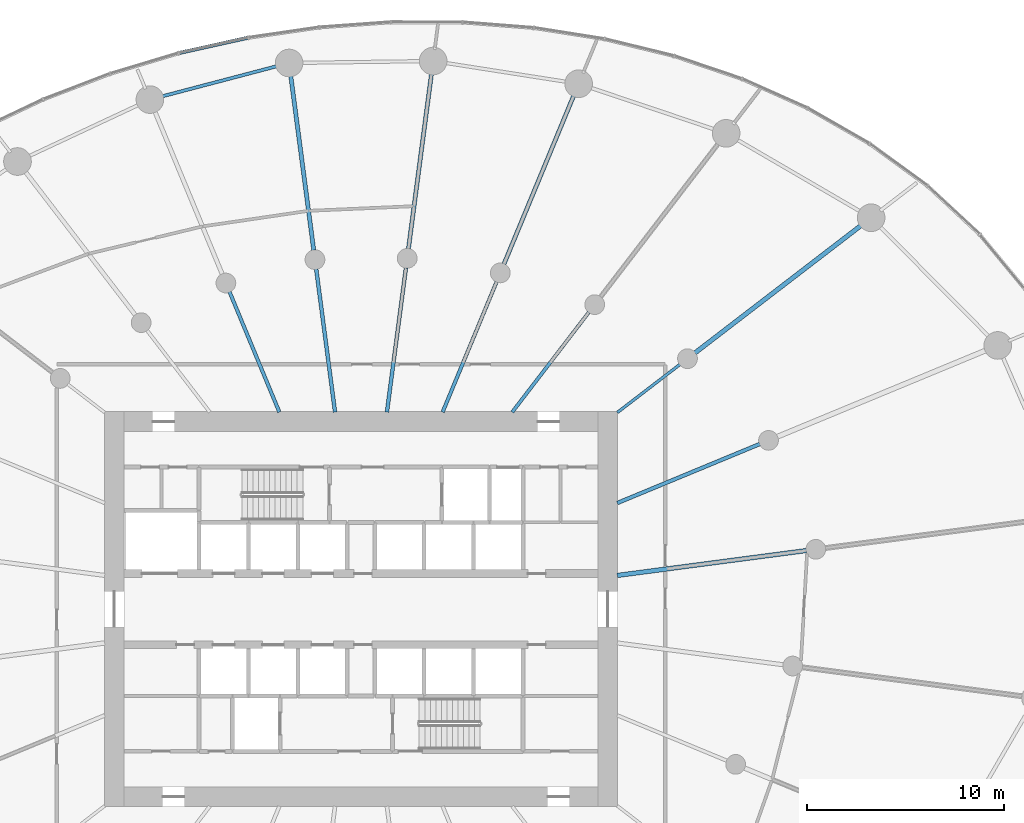
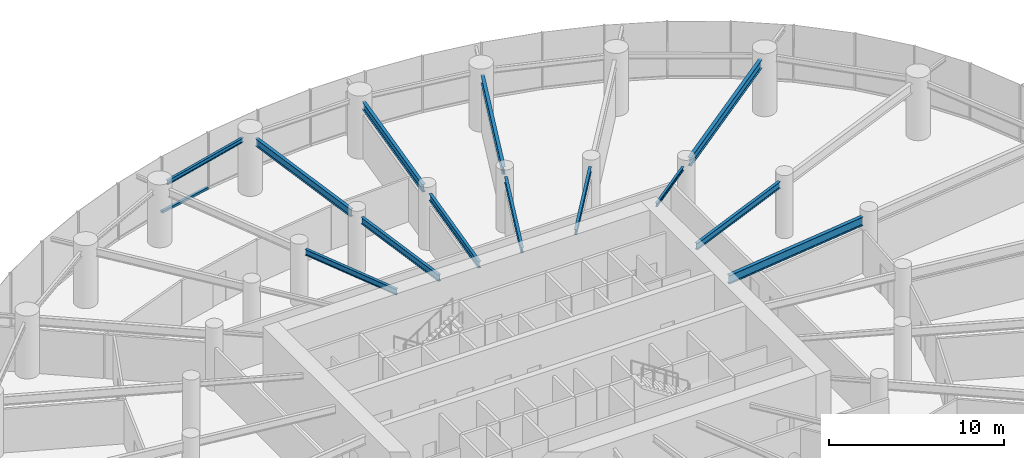
# One storey, part 7 of 19: 13 beams, 1 member, 1 element without a shape of its own.
"""IFC4 building model written with IfcOpenShell, lengths in metres."""

from ifc_helpers import new_model, si_unit, direction, frame, origin, origin_2d, place, context, subcontext, project, spatial, rectangle, i_section, extrude, source, transform, mapped, material, layer, layer_set, material_profile, profile_set, type_object, element, aggregate, save


model = new_model("IFC4")

# Units and contexts
model_context = context("Model", 3, precision=1e-05, world=origin(), true_north=direction((0.0, 1.0)))
body_context = subcontext(model_context, "Body", "Model", "MODEL_VIEW")
ifc_project = project(units=[si_unit("LENGTHUNIT", "METRE"), si_unit("AREAUNIT", "SQUARE_METRE"), si_unit("VOLUMEUNIT", "CUBIC_METRE"), si_unit("PLANEANGLEUNIT", "RADIAN"), si_unit("MASSUNIT", "GRAM", prefix="KILO")], contexts=[model_context])

# Site, building, storey
site_placement = place(None, origin())
site = spatial("IfcSite", under=ifc_project, at=site_placement, CompositionType="ELEMENT")
building_placement = place(site_placement, origin())
building = spatial("IfcBuilding", under=site, at=building_placement, Name="Spindrift Exchange Tower", CompositionType="ELEMENT")
storey_placement = place(building_placement, frame((0.0, 0.0, 44.60009765625)))
storey = spatial("IfcBuildingStorey", under=building, at=storey_placement, Name="L10", CompositionType="ELEMENT", Elevation=44.60009765625)

# Beams
ifc_material_1 = material(Name="Steel Grade 300", Category="steel")
ifc_material_profile_1 = material_profile(ifc_material_1, i_section(OverallWidth=0.22802734375, OverallDepth=0.60693359375, WebThickness=0.01123046875, FlangeThickness=0.017333984375, FilletRadius=0.013916015625, at=origin_2d()), Name="610UB113")
ifc_profile_set_1 = profile_set([ifc_material_profile_1], Name="Steel Grade 300")
beam_type_1 = type_object("IfcBeamType", Name="Floor Beam 610UB113 Steel Grade 300", PredefinedType="BEAM", material=ifc_profile_set_1)
shared_shape_1 = source(origin(), body_context, "Body", "SweptSolid", [
    extrude(i_section(OverallWidth=0.22802734375, OverallDepth=0.60693359375, WebThickness=0.01123046875, FlangeThickness=0.017333984375, FilletRadius=0.013916015625, at=origin_2d()), origin(), (0.0, 0.0, 1.0), 9.660400390625),
])
beam_1_placement = place(storey_placement, frame((64.980224609375, 49.708984375, 3.646484375), z_axis=(0.99144767089, 0.130504850054, 0.0), x_axis=(-0.130504850054, 0.99144767089, 0.0)))
element("IfcBeam", 1, at=beam_1_placement, inside=storey, type_object=beam_type_1, Name="L10 radial beam R01A", PredefinedType="BEAM", context=body_context, shape_type="MappedRepresentation", body=[
    mapped(shared_shape_1, transform((0.0, 0.0, 0.0), scale=1.0)),
])
ifc_material_profile_2 = material_profile(ifc_material_1, i_section(OverallWidth=0.18994140625, OverallDepth=0.45703125, WebThickness=0.009033203125, FlangeThickness=0.014404296875, FilletRadius=0.013916015625, at=origin_2d()), Name="460UB74.6")
ifc_profile_set_2 = profile_set([ifc_material_profile_2], Name="Steel Grade 300")
beam_type_2 = type_object("IfcBeamType", Name="Floor Beam 460UB74.6 Steel Grade 300", PredefinedType="BEAM", material=ifc_profile_set_2)
shared_shape_2 = source(origin(), body_context, "Body", "SweptSolid", [
    extrude(i_section(OverallWidth=0.18994140625, OverallDepth=0.45703125, WebThickness=0.009033203125, FlangeThickness=0.014404296875, FilletRadius=0.013916015625, at=origin_2d()), origin(), (0.0, 0.0, 1.0), 7.808837890625),
])
beam_2_placement = place(storey_placement, frame((64.9814453125, 53.377197265625, 3.721435546875), z_axis=(0.92387965154, 0.382683145003, 0.0), x_axis=(-0.382683145003, 0.92387965154, 0.0)))
element("IfcBeam", 2, at=beam_2_placement, inside=storey, type_object=beam_type_2, Name="L10 radial beam R02A", PredefinedType="BEAM", context=body_context, shape_type="MappedRepresentation", body=[
    mapped(shared_shape_2, transform((0.0, 0.0, 0.0), scale=1.0)),
])
ifc_material_profile_3 = material_profile(ifc_material_1, i_section(OverallWidth=0.14599609375, OverallDepth=0.251953125, WebThickness=0.006103515625, FlangeThickness=0.008544921875, FilletRadius=0.011962890625, at=origin_2d()), Name="250UB31.4")
ifc_profile_set_3 = profile_set([ifc_material_profile_3], Name="Steel Grade 300")
beam_type_3 = type_object("IfcBeamType", Name="Floor Beam 250UB31.4 Steel Grade 300", PredefinedType="BEAM", material=ifc_profile_set_3)
shared_shape_3 = source(origin(), body_context, "Body", "SweptSolid", [
    extrude(i_section(OverallWidth=0.14599609375, OverallDepth=0.251953125, WebThickness=0.006103515625, FlangeThickness=0.008544921875, FilletRadius=0.011962890625, at=origin_2d()), origin(), (0.0, 0.0, 1.0), 3.99560546875),
])
beam_3_placement = place(storey_placement, frame((64.984130859375, 57.963134765625, 3.823974609375), z_axis=(0.793352561574, 0.608762443851, 0.0), x_axis=(-0.608762443851, 0.793352561574, 0.0)))
element("IfcBeam", 3, at=beam_3_placement, inside=storey, type_object=beam_type_3, Name="L10 radial beam R03A", PredefinedType="BEAM", context=body_context, shape_type="MappedRepresentation", body=[
    mapped(shared_shape_3, transform((0.0, 0.0, 0.0), scale=1.0)),
])
shared_shape_4 = source(origin(), body_context, "Body", "SweptSolid", [
    extrude(i_section(OverallWidth=0.22802734375, OverallDepth=0.60693359375, WebThickness=0.01123046875, FlangeThickness=0.017333984375, FilletRadius=0.013916015625, at=origin_2d()), origin(), (0.0, 0.0, 1.0), 10.66357421875),
])
beam_4_placement = place(storey_placement, frame((68.91552734375, 60.979736328125, 3.646484375), z_axis=(0.793357926757, 0.608755451764, 0.0), x_axis=(-0.608755451764, 0.793357926757, 0.0)))
element("IfcBeam", 4, at=beam_4_placement, inside=storey, type_object=beam_type_1, Name="L10 radial beam R03B", PredefinedType="BEAM", context=body_context, shape_type="MappedRepresentation", body=[
    mapped(shared_shape_4, transform((0.0, 0.0, 0.0), scale=1.0)),
])
ifc_material_profile_4 = material_profile(ifc_material_1, i_section(OverallWidth=0.172119140625, OverallDepth=0.35888671875, WebThickness=0.008056640625, FlangeThickness=0.012939453125, FilletRadius=0.013916015625, at=origin_2d()), Name="360UB56.7")
ifc_profile_set_4 = profile_set([ifc_material_profile_4], Name="Steel Grade 300")
beam_type_4 = type_object("IfcBeamType", Name="Floor Beam 360UB56.7 Steel Grade 300", PredefinedType="BEAM", material=ifc_profile_set_4)
shared_shape_5 = source(origin(), body_context, "Body", "SweptSolid", [
    extrude(i_section(OverallWidth=0.172119140625, OverallDepth=0.35888671875, WebThickness=0.008056640625, FlangeThickness=0.012939453125, FilletRadius=0.013916015625, at=origin_2d()), origin(), (0.0, 0.0, 1.0), 6.37646484375),
])
beam_5_placement = place(storey_placement, frame((59.6611328125, 57.984130859375, 3.7705078125), z_axis=(0.608766669952, 0.793349318747, 0.0), x_axis=(-0.793349318747, 0.608766669952, 0.0)))
element("IfcBeam", 5, at=beam_5_placement, inside=storey, type_object=beam_type_4, Name="L10 radial beam R04A", PredefinedType="BEAM", context=body_context, shape_type="MappedRepresentation", body=[
    mapped(shared_shape_5, transform((0.0, 0.0, 0.0), scale=1.0)),
])
ifc_material_profile_5 = material_profile(ifc_material_1, i_section(OverallWidth=0.177978515625, OverallDepth=0.406005859375, WebThickness=0.0078125, FlangeThickness=0.0126953125, FilletRadius=0.013916015625, at=origin_2d()), Name="410UB59.7")
ifc_profile_set_5 = profile_set([ifc_material_profile_5], Name="Steel Grade 300")
beam_type_5 = type_object("IfcBeamType", Name="Floor Beam 410UB59.7 Steel Grade 300", PredefinedType="BEAM", material=ifc_profile_set_5)
shared_shape_6 = source(origin(), body_context, "Body", "SweptSolid", [
    extrude(i_section(OverallWidth=0.177978515625, OverallDepth=0.406005859375, WebThickness=0.0078125, FlangeThickness=0.0126953125, FilletRadius=0.013916015625, at=origin_2d()), origin(), (0.0, 0.0, 1.0), 7.150634765625),
])
beam_6_placement = place(storey_placement, frame((56.134521484375, 57.9814453125, 3.746826171875), z_axis=(0.382665393358, 0.923887004306, 0.0), x_axis=(-0.923887004306, 0.382665393358, 0.0)))
element("IfcBeam", 6, at=beam_6_placement, inside=storey, type_object=beam_type_5, Name="L10 radial beam R05A", PredefinedType="BEAM", context=body_context, shape_type="MappedRepresentation", body=[
    mapped(shared_shape_6, transform((0.0, 0.0, 0.0), scale=1.0)),
])
ifc_material_profile_6 = material_profile(ifc_material_1, i_section(OverallWidth=0.208984375, OverallDepth=0.532958984375, WebThickness=0.01025390625, FlangeThickness=0.015625, FilletRadius=0.013916015625, at=origin_2d()), Name="530UB92.4")
ifc_profile_set_6 = profile_set([ifc_material_profile_6], Name="Steel Grade 300")
beam_type_6 = type_object("IfcBeamType", Name="Floor Beam 530UB92.4 Steel Grade 300", PredefinedType="BEAM", material=ifc_profile_set_6)
shared_shape_7 = source(origin(), body_context, "Body", "SweptSolid", [
    extrude(i_section(OverallWidth=0.208984375, OverallDepth=0.532958984375, WebThickness=0.01025390625, FlangeThickness=0.015625, FilletRadius=0.013916015625, at=origin_2d()), origin(), (0.0, 0.0, 1.0), 9.309326171875),
])
beam_7_placement = place(storey_placement, frame((59.23828125, 65.474853515625, 3.683349609375), z_axis=(0.382685326691, 0.923878747853, 0.0), x_axis=(-0.923878747853, 0.382685326691, 0.0)))
element("IfcBeam", 7, at=beam_7_placement, inside=storey, type_object=beam_type_6, Name="L10 radial beam R05B", PredefinedType="BEAM", context=body_context, shape_type="MappedRepresentation", body=[
    mapped(shared_shape_7, transform((0.0, 0.0, 0.0), scale=1.0)),
])
shared_shape_8 = source(origin(), body_context, "Body", "SweptSolid", [
    extrude(i_section(OverallWidth=0.18994140625, OverallDepth=0.45703125, WebThickness=0.009033203125, FlangeThickness=0.014404296875, FilletRadius=0.013916015625, at=origin_2d()), origin(), (0.0, 0.0, 1.0), 7.374267578125),
])
beam_8_placement = place(storey_placement, frame((53.31396484375, 57.980224609375, 3.721435546875), z_axis=(0.130539295622, 0.99144313619, 0.0), x_axis=(-0.99144313619, 0.130539295622, 0.0)))
element("IfcBeam", 8, at=beam_8_placement, inside=storey, type_object=beam_type_2, Name="L10 radial beam R06A", PredefinedType="BEAM", context=body_context, shape_type="MappedRepresentation", body=[
    mapped(shared_shape_8, transform((0.0, 0.0, 0.0), scale=1.0)),
])
shared_shape_9 = source(origin(), body_context, "Body", "SweptSolid", [
    extrude(i_section(OverallWidth=0.208984375, OverallDepth=0.532958984375, WebThickness=0.01025390625, FlangeThickness=0.015625, FilletRadius=0.013916015625, at=origin_2d()), origin(), (0.0, 0.0, 1.0), 9.020263671875),
])
beam_9_placement = place(storey_placement, frame((54.40185546875, 66.2431640625, 3.683349609375), z_axis=(0.13051122338, 0.991446831944, 0.0), x_axis=(-0.991446831944, 0.13051122338, 0.0)))
element("IfcBeam", 9, at=beam_9_placement, inside=storey, type_object=beam_type_6, Name="L10 radial beam R06B", PredefinedType="BEAM", context=body_context, shape_type="MappedRepresentation", body=[
    mapped(shared_shape_9, transform((0.0, 0.0, 0.0), scale=1.0)),
])
shared_shape_10 = source(origin(), body_context, "Body", "SweptSolid", [
    extrude(i_section(OverallWidth=0.18994140625, OverallDepth=0.45703125, WebThickness=0.009033203125, FlangeThickness=0.014404296875, FilletRadius=0.013916015625, at=origin_2d()), origin(), (0.0, 0.0, 1.0), 7.3095703125),
])
beam_10_placement = place(storey_placement, frame((50.68603515625, 57.980224609375, 3.721435546875), z_axis=(-0.130527087244, 0.991444743541, 0.0), x_axis=(-0.991444743541, -0.130527087244, 0.0)))
element("IfcBeam", 10, at=beam_10_placement, inside=storey, type_object=beam_type_2, Name="L10 radial beam R07A", PredefinedType="BEAM", context=body_context, shape_type="MappedRepresentation", body=[
    mapped(shared_shape_10, transform((0.0, 0.0, 0.0), scale=1.0)),
])
shared_shape_11 = source(origin(), body_context, "Body", "SweptSolid", [
    extrude(i_section(OverallWidth=0.208984375, OverallDepth=0.532958984375, WebThickness=0.01025390625, FlangeThickness=0.015625, FilletRadius=0.013916015625, at=origin_2d()), origin(), (0.0, 0.0, 1.0), 8.98388671875),
])
beam_11_placement = place(storey_placement, frame((49.606689453125, 66.17919921875, 3.683349609375), z_axis=(-0.130524106785, 0.991445135924, 0.0), x_axis=(-0.991445135924, -0.130524106785, 0.0)))
element("IfcBeam", 11, at=beam_11_placement, inside=storey, type_object=beam_type_6, Name="L10 radial beam R07B", PredefinedType="BEAM", context=body_context, shape_type="MappedRepresentation", body=[
    mapped(shared_shape_11, transform((0.0, 0.0, 0.0), scale=1.0)),
])
shared_shape_12 = source(origin(), body_context, "Body", "SweptSolid", [
    extrude(i_section(OverallWidth=0.177978515625, OverallDepth=0.406005859375, WebThickness=0.0078125, FlangeThickness=0.0126953125, FilletRadius=0.013916015625, at=origin_2d()), origin(), (0.0, 0.0, 1.0), 6.594482421875),
])
beam_12_placement = place(storey_placement, frame((47.865478515625, 57.9814453125, 3.746826171875), z_axis=(-0.382692929746, 0.92387559851, 0.0), x_axis=(-0.92387559851, -0.382692929746, 0.0)))
element("IfcBeam", 12, at=beam_12_placement, inside=storey, type_object=beam_type_5, Name="L10 radial beam R08A", PredefinedType="BEAM", context=body_context, shape_type="MappedRepresentation", body=[
    mapped(shared_shape_12, transform((0.0, 0.0, 0.0), scale=1.0)),
])
ifc_material_profile_7 = material_profile(ifc_material_1, i_section(OverallWidth=0.1650390625, OverallDepth=0.303955078125, WebThickness=0.006103515625, FlangeThickness=0.01025390625, FilletRadius=0.011474609375, at=origin_2d()), Name="310UB40.4")
ifc_profile_set_7 = profile_set([ifc_material_profile_7], Name="Steel Grade 300")
beam_type_7 = type_object("IfcBeamType", Name="Edge Beam 310UB40.4 Steel Grade 300", PredefinedType="SPANDREL", material=ifc_profile_set_7)
shared_shape_13 = source(origin(), body_context, "Body", "SweptSolid", [
    extrude(i_section(OverallWidth=0.1650390625, OverallDepth=0.303955078125, WebThickness=0.006103515625, FlangeThickness=0.01025390625, FilletRadius=0.011474609375, at=origin_2d()), origin(), (0.0, 0.0, 1.0), 6.128173828125),
])
beam_13_placement = place(storey_placement, frame((47.79736328125, 75.513916015625, 3.7978515625), z_axis=(-0.967147261855, -0.254216785216, 0.0), x_axis=(0.254216785216, -0.967147261855, 0.0)))
element("IfcBeam", 13, at=beam_13_placement, inside=storey, type_object=beam_type_7, Name="L10 edge beam E07", PredefinedType="SPANDREL", context=body_context, shape_type="MappedRepresentation", body=[
    mapped(shared_shape_13, transform((0.0, 0.0, 0.0), scale=1.0)),
])

# Curtain wall, member
ifc_material_2 = material(Name="Fritted laminated glass with bronze frame", Category="glass")
ifc_layer = layer(ifc_material_2, 0.199951171875)
ifc_layer_set = layer_set([ifc_layer], Name="ZONE 1 BRONZE FRITTED WALL")
curtain_wall_type = type_object("IfcCurtainWallType", Name="ZONE 1 BRONZE FRITTED WALL", PredefinedType="NOTDEFINED", material=ifc_layer_set)
curtain_wall_placement = place(storey_placement, origin())
curtain_wall = element("IfcCurtainWall", 14, at=curtain_wall_placement, inside=storey, type_object=curtain_wall_type, Name="L10 Zone 1 Bronze Fritted Wall run 3", PredefinedType="NOTDEFINED")
ifc_material_3 = material(Name="Bronze anodised aluminium", Category="aluminium")
ifc_material_profile_8 = material_profile(ifc_material_3, rectangle(XDim=0.179931640625, YDim=0.14990234375, at=origin_2d()), Name="ZONE 1 BRONZE FRITTED WALL TRANSOM 180X150")
ifc_profile_set_8 = profile_set([ifc_material_profile_8], Name="Bronze anodised aluminium")
member_type = type_object("IfcMemberType", Name="ZONE 1 BRONZE FRITTED WALL TRANSOM 180X150", PredefinedType="USERDEFINED", material=ifc_profile_set_8)
shared_shape_14 = source(origin(), body_context, "Body", "SweptSolid", [
    extrude(rectangle(XDim=0.179931640625, YDim=0.14990234375, at=origin_2d()), origin(), (0.0, 0.0, 1.0), 3.54736328125),
])
member_placement = place(storey_placement, frame((46.267822265625, 76.942626953125, 0.074951171875), z_axis=(-0.976309973153, -0.216376607613, 0.0), x_axis=(0.216376607613, -0.976309973153, 0.0)))
member = element("IfcMember", 15, at=member_placement, type_object=member_type, Name="L10 transom CW-1.16", ObjectType="TRANSOM", PredefinedType="USERDEFINED", context=body_context, shape_type="MappedRepresentation", body=[
    mapped(shared_shape_14, transform((0.0, 0.0, 0.0), scale=1.0)),
])
aggregate(curtain_wall, [member])

save(model, "model.ifc")
